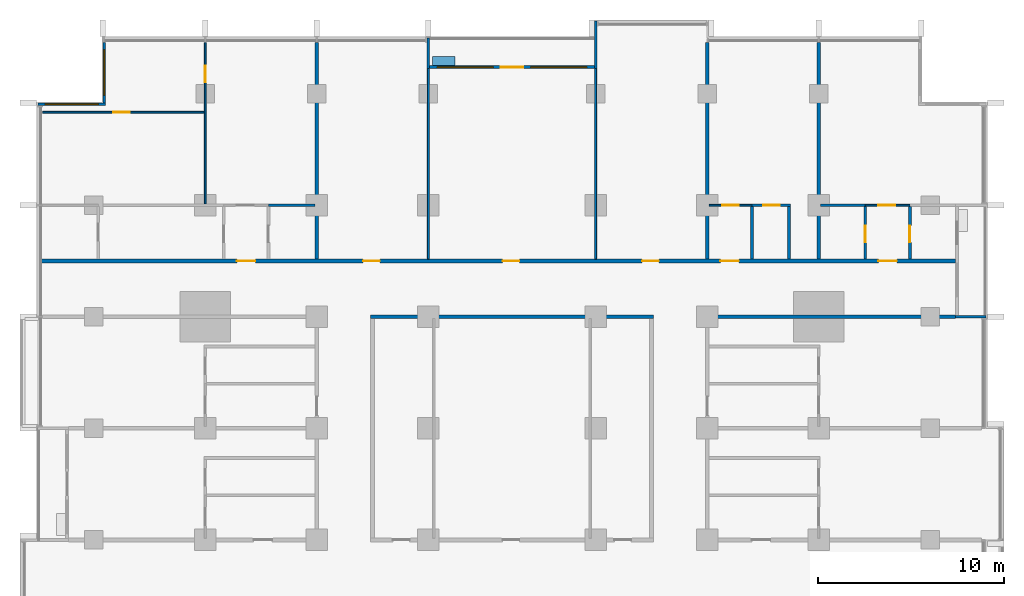
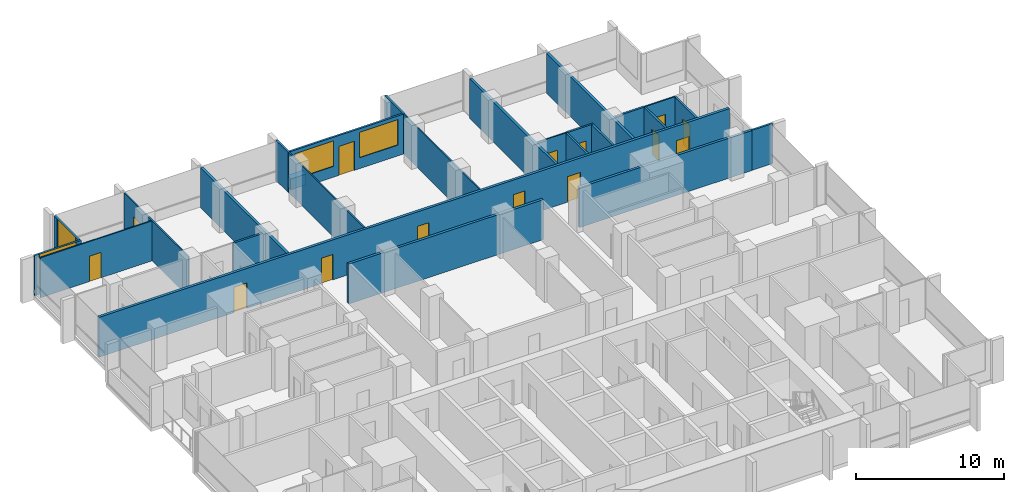
# One storey, part 11 of 17: 26 walls, 14 doors, 4 windows, 18 openings.
"""IFC4 building model written with IfcOpenShell, lengths in metres."""

from ifc_helpers import new_model, si_unit, direction, frame, frame_2d, origin, place, context, subcontext, project, spatial, rectangle, extrude, material, layer, layer_set, type_object, element, fill, save


model = new_model("IFC4")

# Units and contexts
model_context = context("Model", 3, precision=1e-05, world=origin(), true_north=direction((0.0, 1.0)))
body_context = subcontext(model_context, "Body", "Model", "MODEL_VIEW")
ifc_project = project(units=[si_unit("LENGTHUNIT", "METRE"), si_unit("AREAUNIT", "SQUARE_METRE"), si_unit("VOLUMEUNIT", "CUBIC_METRE"), si_unit("PLANEANGLEUNIT", "RADIAN"), si_unit("MASSUNIT", "GRAM", prefix="KILO")], contexts=[model_context])

# Site, building, storey
site_placement = place(None, origin())
site = spatial("IfcSite", under=ifc_project, at=site_placement, CompositionType="ELEMENT")
building_placement = place(site_placement, origin())
building = spatial("IfcBuilding", under=site, at=building_placement, Name="Finial Court Residences", CompositionType="ELEMENT")
storey_placement = place(building_placement, frame((0.0, 0.0, 113.5)))
storey = spatial("IfcBuildingStorey", under=building, at=storey_placement, Name="L28", CompositionType="ELEMENT", Elevation=113.5)

# Walls
ifc_material_1 = material(Name="Gypsum board")
ifc_layer_1 = layer(ifc_material_1, 0.02490234375)
ifc_material_2 = material(Name="Acoustic mineral wool in double frame")
ifc_layer_2 = layer(ifc_material_2, 0.14990234375)
ifc_layer_3 = layer(ifc_material_1, 0.02490234375)
ifc_layer_set_1 = layer_set([ifc_layer_1, ifc_layer_2, ifc_layer_3], Name="Acoustic party wall 200, 1 hour")
wall_type_1 = type_object("IfcWallType", Name="Acoustic party wall 200, 1 hour", PredefinedType="PARTITIONING", material=ifc_layer_set_1)
wall_1_placement = place(storey_placement, frame((16.5, 10.60009765625, 0.0), z_axis=(0.0, 0.0, 1.0), x_axis=(0.0, 1.0, 0.0)))
element("IfcWall", 1, at=wall_1_placement, inside=storey, type_object=wall_type_1, Name="Partition L28-068", PredefinedType="PARTITIONING", context=body_context, shape_type="SweptSolid", body=[
    extrude(rectangle(XDim=11.64990234375, YDim=0.199951171875, at=frame_2d((5.824951171875, 0.0))), origin(), (0.0, 0.0, 1.0), 3.300048828125),
])
ifc_layer_4 = layer(ifc_material_1, 0.02490234375)
ifc_layer_5 = layer(ifc_material_2, 0.14990234375)
ifc_layer_6 = layer(ifc_material_1, 0.02490234375)
ifc_layer_set_2 = layer_set([ifc_layer_4, ifc_layer_5, ifc_layer_6], Name="Corridor wall 200, 1 hour")
wall_type_2 = type_object("IfcWallType", Name="Corridor wall 200, 1 hour", PredefinedType="PARTITIONING", material=ifc_layer_set_2)
wall_2_placement = place(storey_placement, frame((-7.60009765625, 7.5, 0.0), z_axis=(0.0, 0.0, 1.0), x_axis=(1.0, 0.0, 0.0)))
element("IfcWall", 2, at=wall_2_placement, inside=storey, type_object=wall_type_2, Name="Partition L28-024", PredefinedType="PARTITIONING", context=body_context, shape_type="SweptSolid", body=[
    extrude(rectangle(XDim=15.2001953125, YDim=0.199951171875, at=frame_2d((7.60009765625, 0.0))), origin(), (0.0, 0.0, 1.0), 3.300048828125),
])
wall_3_placement = place(storey_placement, frame((10.39990234375, 7.5, 0.0), z_axis=(0.0, 0.0, 1.0), x_axis=(1.0, 0.0, 0.0)))
element("IfcWall", 3, at=wall_3_placement, inside=storey, type_object=wall_type_2, Name="Partition L28-025", PredefinedType="PARTITIONING", context=body_context, shape_type="SweptSolid", body=[
    extrude(rectangle(XDim=13.4501953125, YDim=0.199951171875, at=frame_2d((6.72509765625, 0.0))), origin(), (0.0, 0.0, 1.0), 3.300048828125),
])

# Wall, openings, doors
wall_4_placement = place(storey_placement, frame((-25.35009765625, 10.5, 0.0), z_axis=(0.0, 0.0, 1.0), x_axis=(1.0, 0.0, 0.0)))
wall_4 = element("IfcWall", 4, at=wall_4_placement, inside=storey, type_object=wall_type_2, Name="Partition L28-026", PredefinedType="PARTITIONING", context=body_context, shape_type="SweptSolid", body=[
    extrude(rectangle(XDim=49.2001953125, YDim=0.199951171875, at=frame_2d((24.60009765625, 0.0))), origin(), (0.0, 0.0, 1.0), 3.300048828125),
])
opening_1_placement = place(wall_4_placement, frame((10.550048828125, 0.0, 0.0)))
opening_1 = element("IfcOpeningElement", 5, at=opening_1_placement, cuts=wall_4, Name="Opening L28-D012", PredefinedType="OPENING", context=body_context, shape_type="SweptSolid", body=[
    extrude(rectangle(XDim=1.0, YDim=2.10009765625, at=frame_2d((0.5, 1.050048828125))), frame((0.0, 0.10986328125, 0.0), z_axis=(0.0, -1.0, 0.0), x_axis=(1.0, 0.0, 0.0)), (0.0, 0.0, 1.0), 0.219970703125),
])
opening_2_placement = place(wall_4_placement, frame((17.35009765625, 0.0, 0.0)))
opening_2 = element("IfcOpeningElement", 6, at=opening_2_placement, cuts=wall_4, Name="Opening L28-D013", PredefinedType="OPENING", context=body_context, shape_type="SweptSolid", body=[
    extrude(rectangle(XDim=0.89990234375, YDim=2.10009765625, at=frame_2d((0.449951171875, 1.050048828125))), frame((0.0, 0.10986328125, 0.0), z_axis=(0.0, -1.0, 0.0), x_axis=(1.0, 0.0, 0.0)), (0.0, 0.0, 1.0), 0.219970703125),
])
opening_3_placement = place(wall_4_placement, frame((24.85009765625, 0.0, 0.0)))
opening_3 = element("IfcOpeningElement", 7, at=opening_3_placement, cuts=wall_4, Name="Opening L28-D014", PredefinedType="OPENING", context=body_context, shape_type="SweptSolid", body=[
    extrude(rectangle(XDim=0.89990234375, YDim=2.10009765625, at=frame_2d((0.449951171875, 1.050048828125))), frame((0.0, 0.10986328125, 0.0), z_axis=(0.0, -1.0, 0.0), x_axis=(1.0, 0.0, 0.0)), (0.0, 0.0, 1.0), 0.219970703125),
])
opening_4_placement = place(wall_4_placement, frame((32.35009765625, 0.0, 0.0)))
opening_4 = element("IfcOpeningElement", 8, at=opening_4_placement, cuts=wall_4, Name="Opening L28-D015", PredefinedType="OPENING", context=body_context, shape_type="SweptSolid", body=[
    extrude(rectangle(XDim=0.89990234375, YDim=2.10009765625, at=frame_2d((0.449951171875, 1.050048828125))), frame((0.0, 0.10986328125, 0.0), z_axis=(0.0, -1.0, 0.0), x_axis=(1.0, 0.0, 0.0)), (0.0, 0.0, 1.0), 0.219970703125),
])
opening_5_placement = place(wall_4_placement, frame((36.550048828125, 0.0, 0.0)))
opening_5 = element("IfcOpeningElement", 9, at=opening_5_placement, cuts=wall_4, Name="Opening L28-D016", PredefinedType="OPENING", context=body_context, shape_type="SweptSolid", body=[
    extrude(rectangle(XDim=1.0, YDim=2.10009765625, at=frame_2d((0.5, 1.050048828125))), frame((0.0, 0.10986328125, 0.0), z_axis=(0.0, -1.0, 0.0), x_axis=(1.0, 0.0, 0.0)), (0.0, 0.0, 1.0), 0.219970703125),
])
opening_6_placement = place(wall_4_placement, frame((45.050048828125, 0.0, 0.0)))
opening_6 = element("IfcOpeningElement", 10, at=opening_6_placement, cuts=wall_4, Name="Opening L28-D017", PredefinedType="OPENING", context=body_context, shape_type="SweptSolid", body=[
    extrude(rectangle(XDim=1.0, YDim=2.10009765625, at=frame_2d((0.5, 1.050048828125))), frame((0.0, 0.10986328125, 0.0), z_axis=(0.0, -1.0, 0.0), x_axis=(1.0, 0.0, 0.0)), (0.0, 0.0, 1.0), 0.219970703125),
])
ifc_material_3 = material(Name="Timber door leaf in hollow metal frame", Category="wood")
door_type_1 = type_object("IfcDoorType", Name="Fire door set 1000 x 2100, 30 minutes", OperationType="SINGLE_SWING_LEFT", PredefinedType="DOOR", material=ifc_material_3)
door_1_placement = place(opening_1_placement, origin())
door_1 = element("IfcDoor", 11, at=door_1_placement, inside=storey, type_object=door_type_1, Name="Door L28-D012", OperationType="SINGLE_SWING_RIGHT", OverallHeight=2.10009765625, OverallWidth=1.0, PredefinedType="DOOR", context=body_context, shape_type="SweptSolid", body=[
    extrude(rectangle(XDim=1.0, YDim=2.10009765625, at=frame_2d((0.5, 1.050048828125))), frame((0.0, 0.02490234375, 0.0), z_axis=(0.0, -1.0, 0.0), x_axis=(1.0, 0.0, 0.0)), (0.0, 0.0, 1.0), 0.050048828125),
])
fill(opening_1, door_1)
door_2_placement = place(opening_5_placement, origin())
door_2 = element("IfcDoor", 12, at=door_2_placement, inside=storey, type_object=door_type_1, Name="Door L28-D016", OperationType="SINGLE_SWING_LEFT", OverallHeight=2.10009765625, OverallWidth=1.0, PredefinedType="DOOR", context=body_context, shape_type="SweptSolid", body=[
    extrude(rectangle(XDim=1.0, YDim=2.10009765625, at=frame_2d((0.5, 1.050048828125))), frame((0.0, 0.02490234375, 0.0), z_axis=(0.0, -1.0, 0.0), x_axis=(1.0, 0.0, 0.0)), (0.0, 0.0, 1.0), 0.050048828125),
])
fill(opening_5, door_2)
door_3_placement = place(opening_6_placement, origin())
door_3 = element("IfcDoor", 13, at=door_3_placement, inside=storey, type_object=door_type_1, Name="Door L28-D017", OperationType="SINGLE_SWING_LEFT", OverallHeight=2.10009765625, OverallWidth=1.0, PredefinedType="DOOR", context=body_context, shape_type="SweptSolid", body=[
    extrude(rectangle(XDim=1.0, YDim=2.10009765625, at=frame_2d((0.5, 1.050048828125))), frame((0.0, 0.02490234375, 0.0), z_axis=(0.0, -1.0, 0.0), x_axis=(1.0, 0.0, 0.0)), (0.0, 0.0, 1.0), 0.050048828125),
])
fill(opening_6, door_3)
door_type_2 = type_object("IfcDoorType", Name="Fire door set 900 x 2100, 30 minutes", OperationType="SINGLE_SWING_LEFT", PredefinedType="DOOR", material=ifc_material_3)
door_4_placement = place(opening_2_placement, origin())
door_4 = element("IfcDoor", 14, at=door_4_placement, inside=storey, type_object=door_type_2, Name="Door L28-D013", OperationType="SINGLE_SWING_RIGHT", OverallHeight=2.10009765625, OverallWidth=0.89990234375, PredefinedType="DOOR", context=body_context, shape_type="SweptSolid", body=[
    extrude(rectangle(XDim=0.89990234375, YDim=2.10009765625, at=frame_2d((0.449951171875, 1.050048828125))), frame((0.0, 0.02490234375, 0.0), z_axis=(0.0, -1.0, 0.0), x_axis=(1.0, 0.0, 0.0)), (0.0, 0.0, 1.0), 0.050048828125),
])
fill(opening_2, door_4)
door_5_placement = place(opening_3_placement, origin())
door_5 = element("IfcDoor", 15, at=door_5_placement, inside=storey, type_object=door_type_2, Name="Door L28-D014", OperationType="SINGLE_SWING_LEFT", OverallHeight=2.10009765625, OverallWidth=0.89990234375, PredefinedType="DOOR", context=body_context, shape_type="SweptSolid", body=[
    extrude(rectangle(XDim=0.89990234375, YDim=2.10009765625, at=frame_2d((0.449951171875, 1.050048828125))), frame((0.0, 0.02490234375, 0.0), z_axis=(0.0, -1.0, 0.0), x_axis=(1.0, 0.0, 0.0)), (0.0, 0.0, 1.0), 0.050048828125),
])
fill(opening_3, door_5)
door_6_placement = place(opening_4_placement, origin())
door_6 = element("IfcDoor", 16, at=door_6_placement, inside=storey, type_object=door_type_2, Name="Door L28-D015", OperationType="SINGLE_SWING_LEFT", OverallHeight=2.10009765625, OverallWidth=0.89990234375, PredefinedType="DOOR", context=body_context, shape_type="SweptSolid", body=[
    extrude(rectangle(XDim=0.89990234375, YDim=2.10009765625, at=frame_2d((0.449951171875, 1.050048828125))), frame((0.0, 0.02490234375, 0.0), z_axis=(0.0, -1.0, 0.0), x_axis=(1.0, 0.0, 0.0)), (0.0, 0.0, 1.0), 0.050048828125),
])
fill(opening_4, door_6)

# Walls
for number, where, z_axis, x_axis, name in (
    (17, (-10.5, 10.60009765625, 0.0), (0.0, 0.0, 1.0), (0.0, 1.0, 0.0), "Partition L28-052"),
    (18, (10.5, 10.60009765625, 0.0), (0.0, 0.0, 1.0), (0.0, 1.0, 0.0), "Partition L28-060"),
):
    element("IfcWall", number, at=place(storey_placement, frame(where, z_axis=z_axis, x_axis=x_axis)), inside=storey, type_object=wall_type_2, Name=name, PredefinedType="PARTITIONING", context=body_context, shape_type="SweptSolid", body=[
        extrude(rectangle(XDim=11.64990234375, YDim=0.199951171875, at=frame_2d((5.824951171875, 0.0))), origin(), (0.0, 0.0, 1.0), 3.300048828125),
    ])

# Wall, opening, door
ifc_layer_7 = layer(ifc_material_1, 0.012451171875)
ifc_material_4 = material(Name="Mineral wool in light-gauge frame")
ifc_layer_8 = layer(ifc_material_4, 0.074951171875)
ifc_layer_9 = layer(ifc_material_1, 0.012451171875)
ifc_layer_set_3 = layer_set([ifc_layer_7, ifc_layer_8, ifc_layer_9], Name="Gypsum board partition 100")
wall_type_3 = type_object("IfcWallType", Name="Gypsum board partition 100", PredefinedType="PARTITIONING", material=ifc_layer_set_3)
wall_5_placement = place(storey_placement, frame((10.60009765625, 13.5, 0.0), z_axis=(0.0, 0.0, 1.0), x_axis=(1.0, 0.0, 0.0)))
wall_5 = element("IfcWall", 19, at=wall_5_placement, inside=storey, type_object=wall_type_3, Name="Partition L28-029", PredefinedType="PARTITIONING", context=body_context, shape_type="SweptSolid", body=[
    extrude(rectangle(XDim=2.2998046875, YDim=0.10009765625, at=frame_2d((1.14990234375, 0.0))), origin(), (0.0, 0.0, 1.0), 3.300048828125),
])
opening_7_placement = place(wall_5_placement, frame((0.699951171875, 0.0, 0.0)))
opening_7 = element("IfcOpeningElement", 20, at=opening_7_placement, cuts=wall_5, Name="Opening L28-D019", PredefinedType="OPENING", context=body_context, shape_type="SweptSolid", body=[
    extrude(rectangle(XDim=0.89990234375, YDim=2.10009765625, at=frame_2d((0.449951171875, 1.050048828125))), frame((0.0, 0.06005859375, 0.0), z_axis=(0.0, -1.0, 0.0), x_axis=(1.0, 0.0, 0.0)), (0.0, 0.0, 1.0), 0.1201171875),
])
ifc_material_5 = material(Name="Timber door leaf in timber frame", Category="wood")
door_type_3 = type_object("IfcDoorType", Name="Door set 900 x 2100", OperationType="SINGLE_SWING_LEFT", PredefinedType="DOOR", material=ifc_material_5)
door_7_placement = place(opening_7_placement, origin())
door_7 = element("IfcDoor", 21, at=door_7_placement, inside=storey, type_object=door_type_3, Name="Door L28-D019", OperationType="SINGLE_SWING_LEFT", OverallHeight=2.10009765625, OverallWidth=0.89990234375, PredefinedType="DOOR", context=body_context, shape_type="SweptSolid", body=[
    extrude(rectangle(XDim=0.89990234375, YDim=2.10009765625, at=frame_2d((0.449951171875, 1.050048828125))), frame((0.0, 0.02490234375, 0.0), z_axis=(0.0, -1.0, 0.0), x_axis=(1.0, 0.0, 0.0)), (0.0, 0.0, 1.0), 0.050048828125),
])
fill(opening_7, door_7)

wall_6_placement = place(storey_placement, frame((19.0, 13.5, 0.0), z_axis=(0.0, 0.0, 1.0), x_axis=(1.0, 0.0, 0.0)))
wall_6 = element("IfcWall", 22, at=wall_6_placement, inside=storey, type_object=wall_type_3, Name="Partition L28-030", PredefinedType="PARTITIONING", context=body_context, shape_type="SweptSolid", body=[
    extrude(rectangle(XDim=2.39990234375, YDim=0.10009765625, at=frame_2d((1.199951171875, 0.0))), origin(), (0.0, 0.0, 1.0), 3.300048828125),
])
opening_8_placement = place(wall_6_placement, frame((0.699951171875, 0.0, 0.0)))
opening_8 = element("IfcOpeningElement", 23, at=opening_8_placement, cuts=wall_6, Name="Opening L28-D020", PredefinedType="OPENING", context=body_context, shape_type="SweptSolid", body=[
    extrude(rectangle(XDim=0.89990234375, YDim=2.10009765625, at=frame_2d((0.449951171875, 1.050048828125))), frame((0.0, 0.06005859375, 0.0), z_axis=(0.0, -1.0, 0.0), x_axis=(1.0, 0.0, 0.0)), (0.0, 0.0, 1.0), 0.1201171875),
])
door_8_placement = place(opening_8_placement, origin())
door_8 = element("IfcDoor", 24, at=door_8_placement, inside=storey, type_object=door_type_3, Name="Door L28-D020", OperationType="SINGLE_SWING_RIGHT", OverallHeight=2.10009765625, OverallWidth=0.89990234375, PredefinedType="DOOR", context=body_context, shape_type="SweptSolid", body=[
    extrude(rectangle(XDim=0.89990234375, YDim=2.10009765625, at=frame_2d((0.449951171875, 1.050048828125))), frame((0.0, 0.02490234375, 0.0), z_axis=(0.0, -1.0, 0.0), x_axis=(1.0, 0.0, 0.0)), (0.0, 0.0, 1.0), 0.050048828125),
])
fill(opening_8, door_8)

wall_7_placement = place(storey_placement, frame((-25.25, 18.5, 0.0), z_axis=(0.0, 0.0, 1.0), x_axis=(1.0, 0.0, 0.0)))
wall_7 = element("IfcWall", 25, at=wall_7_placement, inside=storey, type_object=wall_type_3, Name="Partition L28-036", PredefinedType="PARTITIONING", context=body_context, shape_type="SweptSolid", body=[
    extrude(rectangle(XDim=8.699951171875, YDim=0.10009765625, at=frame_2d((4.35009765625, 0.0))), origin(), (0.0, 0.0, 1.0), 3.300048828125),
])
opening_9_placement = place(wall_7_placement, frame((3.800048828125, 0.0, 0.0)))
opening_9 = element("IfcOpeningElement", 26, at=opening_9_placement, cuts=wall_7, Name="Opening L28-D022", PredefinedType="OPENING", context=body_context, shape_type="SweptSolid", body=[
    extrude(rectangle(XDim=0.89990234375, YDim=2.10009765625, at=frame_2d((0.449951171875, 1.050048828125))), frame((0.0, 0.06005859375, 0.0), z_axis=(0.0, -1.0, 0.0), x_axis=(1.0, 0.0, 0.0)), (0.0, 0.0, 1.0), 0.1201171875),
])
door_9_placement = place(opening_9_placement, origin())
door_9 = element("IfcDoor", 27, at=door_9_placement, inside=storey, type_object=door_type_3, Name="Door L28-D022", OperationType="SINGLE_SWING_LEFT", OverallHeight=2.10009765625, OverallWidth=0.89990234375, PredefinedType="DOOR", context=body_context, shape_type="SweptSolid", body=[
    extrude(rectangle(XDim=0.89990234375, YDim=2.10009765625, at=frame_2d((0.449951171875, 1.050048828125))), frame((0.0, 0.02490234375, 0.0), z_axis=(0.0, -1.0, 0.0), x_axis=(1.0, 0.0, 0.0)), (0.0, 0.0, 1.0), 0.050048828125),
])
fill(opening_9, door_9)

wall_8_placement = place(storey_placement, frame((-16.5, 13.574951171875, 0.0), z_axis=(0.0, 0.0, 1.0), x_axis=(0.0, 1.0, 0.0)))
wall_8 = element("IfcWall", 28, at=wall_8_placement, inside=storey, type_object=wall_type_3, Name="Partition L28-043", PredefinedType="PARTITIONING", context=body_context, shape_type="SweptSolid", body=[
    extrude(rectangle(XDim=8.675048828125, YDim=0.10009765625, at=frame_2d((4.33740234375, 0.0))), origin(), (0.0, 0.0, 1.0), 3.300048828125),
])
opening_10_placement = place(wall_8_placement, frame((6.52490234375, 0.0, 0.0)))
opening_10 = element("IfcOpeningElement", 29, at=opening_10_placement, cuts=wall_8, Name="Opening L28-D029", PredefinedType="OPENING", context=body_context, shape_type="SweptSolid", body=[
    extrude(rectangle(XDim=0.89990234375, YDim=2.10009765625, at=frame_2d((0.449951171875, 1.050048828125))), frame((0.0, 0.06005859375, 0.0), z_axis=(0.0, -1.0, 0.0), x_axis=(1.0, 0.0, 0.0)), (0.0, 0.0, 1.0), 0.1201171875),
])
door_10_placement = place(opening_10_placement, origin())
door_10 = element("IfcDoor", 30, at=door_10_placement, inside=storey, type_object=door_type_3, Name="Door L28-D029", OperationType="SINGLE_SWING_LEFT", OverallHeight=2.10009765625, OverallWidth=0.89990234375, PredefinedType="DOOR", context=body_context, shape_type="SweptSolid", body=[
    extrude(rectangle(XDim=0.89990234375, YDim=2.10009765625, at=frame_2d((0.449951171875, 1.050048828125))), frame((0.0, 0.02490234375, 0.0), z_axis=(0.0, -1.0, 0.0), x_axis=(1.0, 0.0, 0.0)), (0.0, 0.0, 1.0), 0.050048828125),
])
fill(opening_10, door_10)

# Walls
for number, where, z_axis, x_axis, name in (
    (31, (-4.5, 10.60009765625, 0.0), (0.0, 0.0, 1.0), (0.0, 1.0, 0.0), "Partition L28-054"),
    (32, (4.5, 10.60009765625, 0.0), (0.0, 0.0, 1.0), (0.0, 1.0, 0.0), "Partition L28-057"),
):
    element("IfcWall", number, at=place(storey_placement, frame(where, z_axis=z_axis, x_axis=x_axis)), inside=storey, type_object=wall_type_3, Name=name, PredefinedType="PARTITIONING", context=body_context, shape_type="SweptSolid", body=[
        extrude(rectangle(XDim=10.25, YDim=0.10009765625, at=frame_2d((5.125, 0.0))), origin(), (0.0, 0.0, 1.0), 3.300048828125),
    ])
ifc_material_6 = material(Name="Moisture-resistant gypsum board")
ifc_layer_10 = layer(ifc_material_6, 0.012451171875)
ifc_layer_11 = layer(ifc_material_4, 0.125)
ifc_layer_12 = layer(ifc_material_6, 0.012451171875)
ifc_layer_set_4 = layer_set([ifc_layer_10, ifc_layer_11, ifc_layer_12], Name="Gypsum board wet-area partition 150")
wall_type_4 = type_object("IfcWallType", Name="Gypsum board wet-area partition 150", PredefinedType="PARTITIONING", material=ifc_layer_set_4)
wall_9_placement = place(storey_placement, frame((-13.10009765625, 13.5, 0.0), z_axis=(0.0, 0.0, 1.0), x_axis=(1.0, 0.0, 0.0)))
element("IfcWall", 33, at=wall_9_placement, inside=storey, type_object=wall_type_4, Name="Partition L28-032", PredefinedType="PARTITIONING", context=body_context, shape_type="SweptSolid", body=[
    extrude(rectangle(XDim=2.5, YDim=0.14990234375, at=frame_2d((1.25, 0.0))), origin(), (0.0, 0.0, 1.0), 3.300048828125),
])

# Wall, opening, door
wall_10_placement = place(storey_placement, frame((12.89990234375, 13.5, 0.0), z_axis=(0.0, 0.0, 1.0), x_axis=(1.0, 0.0, 0.0)))
wall_10 = element("IfcWall", 34, at=wall_10_placement, inside=storey, type_object=wall_type_4, Name="Partition L28-033", PredefinedType="PARTITIONING", context=body_context, shape_type="SweptSolid", body=[
    extrude(rectangle(XDim=2.0751953125, YDim=0.14990234375, at=frame_2d((1.03759765625, 0.0))), origin(), (0.0, 0.0, 1.0), 3.300048828125),
])
opening_11_placement = place(wall_10_placement, frame((0.60009765625, 0.0, 0.0)))
opening_11 = element("IfcOpeningElement", 35, at=opening_11_placement, cuts=wall_10, Name="Opening L28-D021", PredefinedType="OPENING", context=body_context, shape_type="SweptSolid", body=[
    extrude(rectangle(XDim=0.89990234375, YDim=2.10009765625, at=frame_2d((0.449951171875, 1.050048828125))), frame((0.0, 0.0849609375, 0.0), z_axis=(0.0, -1.0, 0.0), x_axis=(1.0, 0.0, 0.0)), (0.0, 0.0, 1.0), 0.169921875),
])
door_11_placement = place(opening_11_placement, origin())
door_11 = element("IfcDoor", 36, at=door_11_placement, inside=storey, type_object=door_type_3, Name="Door L28-D021", OperationType="SINGLE_SWING_RIGHT", OverallHeight=2.10009765625, OverallWidth=0.89990234375, PredefinedType="DOOR", context=body_context, shape_type="SweptSolid", body=[
    extrude(rectangle(XDim=0.89990234375, YDim=2.10009765625, at=frame_2d((0.449951171875, 1.050048828125))), frame((0.0, 0.02490234375, 0.0), z_axis=(0.0, -1.0, 0.0), x_axis=(1.0, 0.0, 0.0)), (0.0, 0.0, 1.0), 0.050048828125),
])
fill(opening_11, door_11)

# Walls
wall_11_placement = place(storey_placement, frame((16.60009765625, 13.5, 0.0), z_axis=(0.0, 0.0, 1.0), x_axis=(1.0, 0.0, 0.0)))
element("IfcWall", 37, at=wall_11_placement, inside=storey, type_object=wall_type_4, Name="Partition L28-034", PredefinedType="PARTITIONING", context=body_context, shape_type="SweptSolid", body=[
    extrude(rectangle(XDim=2.39990234375, YDim=0.14990234375, at=frame_2d((1.199951171875, 0.0))), origin(), (0.0, 0.0, 1.0), 3.300048828125),
])
for number, where, z_axis, x_axis, name in (
    (38, (12.89990234375, 10.60009765625, 0.0), (0.0, 0.0, 1.0), (0.0, 1.0, 0.0), "Partition L28-061"),
    (39, (14.89990234375, 10.60009765625, 0.0), (0.0, 0.0, 1.0), (0.0, 1.0, 0.0), "Partition L28-062"),
):
    element("IfcWall", number, at=place(storey_placement, frame(where, z_axis=z_axis, x_axis=x_axis)), inside=storey, type_object=wall_type_4, Name=name, PredefinedType="PARTITIONING", context=body_context, shape_type="SweptSolid", body=[
        extrude(rectangle(XDim=2.824951171875, YDim=0.14990234375, at=frame_2d((1.41259765625, 0.0))), origin(), (0.0, 0.0, 1.0), 3.300048828125),
    ])

# Wall, opening, door
wall_12_placement = place(storey_placement, frame((19.0, 10.60009765625, 0.0), z_axis=(0.0, 0.0, 1.0), x_axis=(0.0, 1.0, 0.0)))
wall_12 = element("IfcWall", 40, at=wall_12_placement, inside=storey, type_object=wall_type_4, Name="Partition L28-071", PredefinedType="PARTITIONING", context=body_context, shape_type="SweptSolid", body=[
    extrude(rectangle(XDim=2.824951171875, YDim=0.14990234375, at=frame_2d((1.41259765625, 0.0))), origin(), (0.0, 0.0, 1.0), 3.300048828125),
])
opening_12_placement = place(wall_12_placement, frame((0.89990234375, 0.0, 0.0)))
opening_12 = element("IfcOpeningElement", 41, at=opening_12_placement, cuts=wall_12, Name="Opening L28-D042", PredefinedType="OPENING", context=body_context, shape_type="SweptSolid", body=[
    extrude(rectangle(XDim=0.89990234375, YDim=2.10009765625, at=frame_2d((0.449951171875, 1.050048828125))), frame((0.0, 0.0849609375, 0.0), z_axis=(0.0, -1.0, 0.0), x_axis=(1.0, 0.0, 0.0)), (0.0, 0.0, 1.0), 0.169921875),
])
door_12_placement = place(opening_12_placement, origin())
door_12 = element("IfcDoor", 42, at=door_12_placement, inside=storey, type_object=door_type_3, Name="Door L28-D042", OperationType="SINGLE_SWING_LEFT", OverallHeight=2.10009765625, OverallWidth=0.89990234375, PredefinedType="DOOR", context=body_context, shape_type="SweptSolid", body=[
    extrude(rectangle(XDim=0.89990234375, YDim=2.10009765625, at=frame_2d((0.449951171875, 1.050048828125))), frame((0.0, 0.02490234375, 0.0), z_axis=(0.0, -1.0, 0.0), x_axis=(1.0, 0.0, 0.0)), (0.0, 0.0, 1.0), 0.050048828125),
])
fill(opening_12, door_12)

wall_13_placement = place(storey_placement, frame((21.39990234375, 10.60009765625, 0.0), z_axis=(0.0, 0.0, 1.0), x_axis=(0.0, 1.0, 0.0)))
wall_13 = element("IfcWall", 43, at=wall_13_placement, inside=storey, type_object=wall_type_4, Name="Partition L28-075", PredefinedType="PARTITIONING", context=body_context, shape_type="SweptSolid", body=[
    extrude(rectangle(XDim=2.824951171875, YDim=0.14990234375, at=frame_2d((1.41259765625, 0.0))), origin(), (0.0, 0.0, 1.0), 3.300048828125),
])
opening_13_placement = place(wall_13_placement, frame((0.89990234375, 0.0, 0.0)))
opening_13 = element("IfcOpeningElement", 44, at=opening_13_placement, cuts=wall_13, Name="Opening L28-D046", PredefinedType="OPENING", context=body_context, shape_type="SweptSolid", body=[
    extrude(rectangle(XDim=0.89990234375, YDim=2.10009765625, at=frame_2d((0.449951171875, 1.050048828125))), frame((0.0, 0.0849609375, 0.0), z_axis=(0.0, -1.0, 0.0), x_axis=(1.0, 0.0, 0.0)), (0.0, 0.0, 1.0), 0.169921875),
])
door_13_placement = place(opening_13_placement, origin())
door_13 = element("IfcDoor", 45, at=door_13_placement, inside=storey, type_object=door_type_3, Name="Door L28-D046", OperationType="SINGLE_SWING_RIGHT", OverallHeight=2.10009765625, OverallWidth=0.89990234375, PredefinedType="DOOR", context=body_context, shape_type="SweptSolid", body=[
    extrude(rectangle(XDim=0.89990234375, YDim=2.10009765625, at=frame_2d((0.449951171875, 1.050048828125))), frame((0.0, 0.02490234375, 0.0), z_axis=(0.0, -1.0, 0.0), x_axis=(1.0, 0.0, 0.0)), (0.0, 0.0, 1.0), 0.050048828125),
])
fill(opening_13, door_13)

# Wall, opening, window
ifc_material_7 = material(Name="Natural limestone", Category="masonry")
ifc_layer_13 = layer(ifc_material_7, 0.14990234375)
ifc_layer_set_5 = layer_set([ifc_layer_13], Name="Limestone clad wall 150")
wall_type_5 = type_object("IfcWallType", Name="Limestone clad wall 150", PredefinedType="SOLIDWALL", material=ifc_layer_set_5)
wall_14_placement = place(storey_placement, frame((-21.925048828125, 19.0, 0.0), z_axis=(0.0, 0.0, 1.0), x_axis=(0.0, 1.0, 0.0)))
wall_14 = element("IfcWall", 46, at=wall_14_placement, inside=storey, type_object=wall_type_5, Name="E-L28-NWW17", PredefinedType="SOLIDWALL", context=body_context, shape_type="SweptSolid", body=[
    extrude(rectangle(XDim=3.25, YDim=0.14990234375, at=frame_2d((1.625, 0.0))), origin(), (0.0, 0.0, 1.0), 3.300048828125),
])
opening_14_placement = place(wall_14_placement, frame((0.39990234375, 0.0, 0.89990234375)))
opening_14 = element("IfcOpeningElement", 47, at=opening_14_placement, cuts=wall_14, Name="Opening WE28-05", PredefinedType="OPENING", context=body_context, shape_type="SweptSolid", body=[
    extrude(rectangle(XDim=2.449951171875, YDim=2.39990234375, at=frame_2d((1.22509765625, 1.199951171875))), frame((0.0, 0.0849609375, 0.0), z_axis=(0.0, -1.0, 0.0), x_axis=(1.0, 0.0, 0.0)), (0.0, 0.0, 1.0), 0.169921875),
])
ifc_material_8 = material(Name="Clear low-e glass", Category="glass")
window_type_1 = type_object("IfcWindowType", Name="Corner window 2450 x 2400", PartitioningType="SINGLE_PANEL", PredefinedType="WINDOW", material=ifc_material_8)
window_1_placement = place(opening_14_placement, origin())
window_1 = element("IfcWindow", 48, at=window_1_placement, inside=storey, type_object=window_type_1, Name="E-L28-NWW17-W1", OverallHeight=2.39990234375, OverallWidth=2.449951171875, PartitioningType="SINGLE_PANEL", PredefinedType="WINDOW", context=body_context, shape_type="SweptSolid", body=[
    extrude(rectangle(XDim=2.449951171875, YDim=2.39990234375, at=frame_2d((1.22509765625, 1.199951171875))), frame((0.0, 0.030029296875, 0.0), z_axis=(0.0, -1.0, 0.0), x_axis=(1.0, 0.0, 0.0)), (0.0, 0.0, 1.0), 0.06005859375),
])
fill(opening_14, window_1)

wall_15_placement = place(storey_placement, frame((-25.5, 18.925048828125, 0.0), z_axis=(0.0, 0.0, 1.0), x_axis=(1.0, 0.0, 0.0)))
wall_15 = element("IfcWall", 49, at=wall_15_placement, inside=storey, type_object=wall_type_5, Name="E-L28-NWN18", PredefinedType="SOLIDWALL", context=body_context, shape_type="SweptSolid", body=[
    extrude(rectangle(XDim=3.64990234375, YDim=0.14990234375, at=frame_2d((1.824951171875, 0.0))), origin(), (0.0, 0.0, 1.0), 3.300048828125),
])
opening_15_placement = place(wall_15_placement, frame((0.39990234375, 0.0, 0.89990234375)))
opening_15 = element("IfcOpeningElement", 50, at=opening_15_placement, cuts=wall_15, Name="Opening WE28-06", PredefinedType="OPENING", context=body_context, shape_type="SweptSolid", body=[
    extrude(rectangle(XDim=2.85009765625, YDim=2.39990234375, at=frame_2d((1.425048828125, 1.199951171875))), frame((0.0, 0.0849609375, 0.0), z_axis=(0.0, -1.0, 0.0), x_axis=(1.0, 0.0, 0.0)), (0.0, 0.0, 1.0), 0.169921875),
])
window_type_2 = type_object("IfcWindowType", Name="Corner window 2850 x 2400", PartitioningType="SINGLE_PANEL", PredefinedType="WINDOW", material=ifc_material_8)
window_2_placement = place(opening_15_placement, origin())
window_2 = element("IfcWindow", 51, at=window_2_placement, inside=storey, type_object=window_type_2, Name="E-L28-NWN18-W1", OverallHeight=2.39990234375, OverallWidth=2.85009765625, PartitioningType="SINGLE_PANEL", PredefinedType="WINDOW", context=body_context, shape_type="SweptSolid", body=[
    extrude(rectangle(XDim=2.85009765625, YDim=2.39990234375, at=frame_2d((1.425048828125, 1.199951171875))), frame((0.0, 0.030029296875, 0.0), z_axis=(0.0, -1.0, 0.0), x_axis=(1.0, 0.0, 0.0)), (0.0, 0.0, 1.0), 0.06005859375),
])
fill(opening_15, window_2)

# Walls
wall_16_placement = place(storey_placement, frame((-4.5, 20.85009765625, 0.0), z_axis=(0.0, 0.0, 1.0), x_axis=(0.0, 1.0, 0.0)))
element("IfcWall", 52, at=wall_16_placement, inside=storey, type_object=wall_type_5, Name="E-L28-BALN4-P1", PredefinedType="SOLIDWALL", context=body_context, shape_type="SweptSolid", body=[
    extrude(rectangle(XDim=1.64990234375, YDim=0.14990234375, at=frame_2d((0.824951171875, 0.0))), origin(), (0.0, 0.0, 1.0), 3.300048828125),
])
wall_17_placement = place(storey_placement, frame((4.5, 20.85009765625, 0.0), z_axis=(0.0, 0.0, 1.0), x_axis=(0.0, 1.0, 0.0)))
element("IfcWall", 53, at=wall_17_placement, inside=storey, type_object=wall_type_5, Name="E-L28-BALN4-P2", PredefinedType="SOLIDWALL", context=body_context, shape_type="SweptSolid", body=[
    extrude(rectangle(XDim=2.5498046875, YDim=0.14990234375, at=frame_2d((1.27490234375, 0.0))), origin(), (0.0, 0.0, 1.0), 3.300048828125),
])

# Wall, openings, door, windows
wall_18_placement = place(storey_placement, frame((-4.425048828125, 20.925048828125, 0.0), z_axis=(0.0, 0.0, 1.0), x_axis=(1.0, 0.0, 0.0)))
wall_18 = element("IfcWall", 54, at=wall_18_placement, inside=storey, type_object=wall_type_5, Name="E-L28-L28-BALN4-W", PredefinedType="SOLIDWALL", context=body_context, shape_type="SweptSolid", body=[
    extrude(rectangle(XDim=8.85009765625, YDim=0.14990234375, at=frame_2d((4.425048828125, 0.0))), origin(), (0.0, 0.0, 1.0), 3.300048828125),
])
opening_16_placement = place(wall_18_placement, frame((3.824951171875, 0.0, 0.0)))
opening_16 = element("IfcOpeningElement", 55, at=opening_16_placement, cuts=wall_18, Name="Opening DE28-01", PredefinedType="OPENING", context=body_context, shape_type="SweptSolid", body=[
    extrude(rectangle(XDim=1.199951171875, YDim=2.39990234375, at=frame_2d((0.60009765625, 1.199951171875))), frame((0.0, 0.0849609375, 0.0), z_axis=(0.0, -1.0, 0.0), x_axis=(1.0, 0.0, 0.0)), (0.0, 0.0, 1.0), 0.169921875),
])
opening_17_placement = place(wall_18_placement, frame((0.41259765625, 0.0, 0.89990234375)))
opening_17 = element("IfcOpeningElement", 56, at=opening_17_placement, cuts=wall_18, Name="Opening WE28-09", PredefinedType="OPENING", context=body_context, shape_type="SweptSolid", body=[
    extrude(rectangle(XDim=3.0, YDim=2.10009765625, at=frame_2d((1.5, 1.050048828125))), frame((0.0, 0.0849609375, 0.0), z_axis=(0.0, -1.0, 0.0), x_axis=(1.0, 0.0, 0.0)), (0.0, 0.0, 1.0), 0.169921875),
])
opening_18_placement = place(wall_18_placement, frame((5.4375, 0.0, 0.89990234375)))
opening_18 = element("IfcOpeningElement", 57, at=opening_18_placement, cuts=wall_18, Name="Opening WE28-10", PredefinedType="OPENING", context=body_context, shape_type="SweptSolid", body=[
    extrude(rectangle(XDim=3.0, YDim=2.10009765625, at=frame_2d((1.5, 1.050048828125))), frame((0.0, 0.0849609375, 0.0), z_axis=(0.0, -1.0, 0.0), x_axis=(1.0, 0.0, 0.0)), (0.0, 0.0, 1.0), 0.169921875),
])
ifc_material_9 = material(Name="Bronze anodised aluminium", Category="aluminium")
door_type_4 = type_object("IfcDoorType", Name="Balcony door 1200 x 2400", OperationType="SINGLE_SWING_LEFT", PredefinedType="DOOR", material=ifc_material_9)
door_14_placement = place(opening_16_placement, origin())
door_14 = element("IfcDoor", 58, at=door_14_placement, inside=storey, type_object=door_type_4, Name="E-L28-L28-BALN4-W-D", OperationType="SINGLE_SWING_RIGHT", OverallHeight=2.39990234375, OverallWidth=1.199951171875, PredefinedType="DOOR", context=body_context, shape_type="SweptSolid", body=[
    extrude(rectangle(XDim=1.199951171875, YDim=2.39990234375, at=frame_2d((0.60009765625, 1.199951171875))), frame((0.0, 0.02490234375, 0.0), z_axis=(0.0, -1.0, 0.0), x_axis=(1.0, 0.0, 0.0)), (0.0, 0.0, 1.0), 0.050048828125),
])
fill(opening_16, door_14)
window_type_3 = type_object("IfcWindowType", Name="Balcony window 3000 x 2100", PartitioningType="SINGLE_PANEL", PredefinedType="WINDOW", material=ifc_material_8)
window_3_placement = place(opening_17_placement, origin())
window_3 = element("IfcWindow", 59, at=window_3_placement, inside=storey, type_object=window_type_3, Name="E-L28-L28-BALN4-W-W1", OverallHeight=2.10009765625, OverallWidth=3.0, PartitioningType="SINGLE_PANEL", PredefinedType="WINDOW", context=body_context, shape_type="SweptSolid", body=[
    extrude(rectangle(XDim=3.0, YDim=2.10009765625, at=frame_2d((1.5, 1.050048828125))), frame((0.0, 0.030029296875, 0.0), z_axis=(0.0, -1.0, 0.0), x_axis=(1.0, 0.0, 0.0)), (0.0, 0.0, 1.0), 0.06005859375),
])
fill(opening_17, window_3)
window_4_placement = place(opening_18_placement, origin())
window_4 = element("IfcWindow", 60, at=window_4_placement, inside=storey, type_object=window_type_3, Name="E-L28-L28-BALN4-W-W2", OverallHeight=2.10009765625, OverallWidth=3.0, PartitioningType="SINGLE_PANEL", PredefinedType="WINDOW", context=body_context, shape_type="SweptSolid", body=[
    extrude(rectangle(XDim=3.0, YDim=2.10009765625, at=frame_2d((1.5, 1.050048828125))), frame((0.0, 0.030029296875, 0.0), z_axis=(0.0, -1.0, 0.0), x_axis=(1.0, 0.0, 0.0)), (0.0, 0.0, 1.0), 0.06005859375),
])
fill(opening_18, window_4)

# Walls
wall_19_placement = place(storey_placement, frame((23.85009765625, 7.5, 0.0), z_axis=(0.0, 0.0, 1.0), x_axis=(1.0, 0.0, 0.0)))
element("IfcWall", 61, at=wall_19_placement, inside=storey, type_object=wall_type_5, Name="E-L28-BALE5-P1", PredefinedType="SOLIDWALL", context=body_context, shape_type="SweptSolid", body=[
    extrude(rectangle(XDim=1.64990234375, YDim=0.14990234375, at=frame_2d((0.824951171875, 0.0))), origin(), (0.0, 0.0, 1.0), 3.300048828125),
])
ifc_material_10 = material(Name="Concrete C40/50", Category="concrete")
ifc_layer_14 = layer(ifc_material_10, 0.10009765625)
ifc_material_11 = material(Name="Planting soil", Category="soil")
ifc_layer_15 = layer(ifc_material_11, 0.300048828125)
ifc_layer_16 = layer(ifc_material_10, 0.10009765625)
ifc_layer_set_6 = layer_set([ifc_layer_14, ifc_layer_15, ifc_layer_16], Name="Planter wall, balcony")
wall_type_6 = type_object("IfcWallType", Name="Planter wall, balcony", PredefinedType="USERDEFINED", material=ifc_layer_set_6)
wall_20_placement = place(storey_placement, frame((-4.27490234375, 21.25, 0.0), z_axis=(0.0, 0.0, 1.0), x_axis=(1.0, 0.0, 0.0)))
element("IfcWall", 62, at=wall_20_placement, inside=storey, type_object=wall_type_6, Name="E-L28-BALN4-PL", ObjectType="PLANTER", PredefinedType="USERDEFINED", context=body_context, shape_type="SweptSolid", body=[
    extrude(rectangle(XDim=1.199951171875, YDim=0.5, at=frame_2d((0.60009765625, 0.0))), origin(), (0.0, 0.0, 1.0), 0.89990234375),
])

save(model, "model.ifc")
